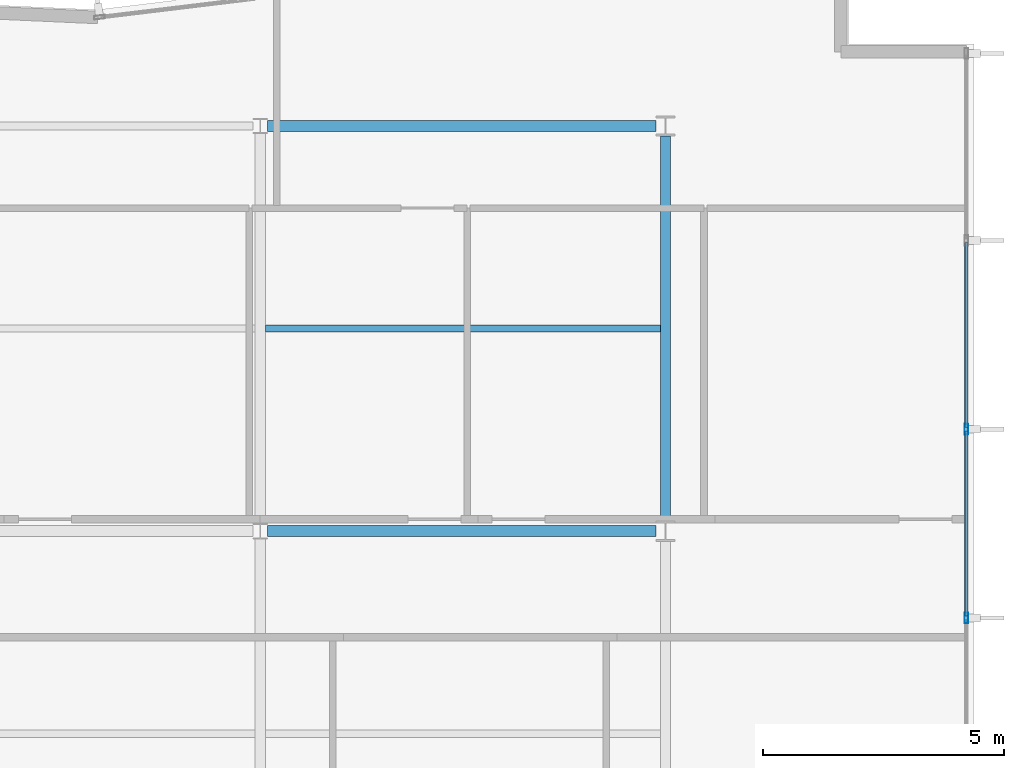
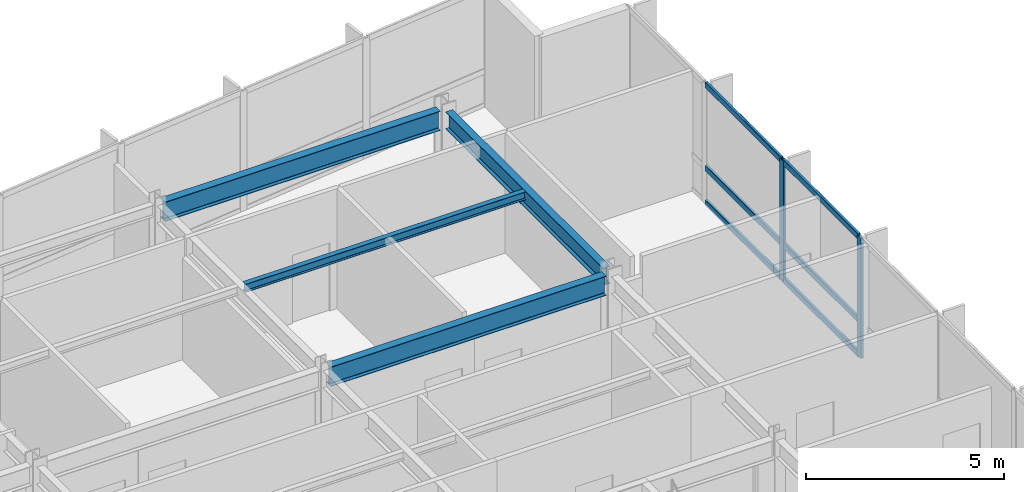
# One storey, part 7 of 18: 8 members, 4 beams, 1 element without a shape of its own.
"""IFC4 building model written with IfcOpenShell, lengths in metres."""

from ifc_helpers import new_model, si_unit, direction, frame, origin, origin_2d, place, context, subcontext, project, spatial, hollow_rectangle, i_section, extrude, material, layer, layer_set, material_profile, profile_set, type_object, element, aggregate, save


model = new_model("IFC4")

# Units and contexts
model_context = context("Model", 3, precision=1e-05, world=origin(), true_north=direction((0.0, 1.0)))
body_context = subcontext(model_context, "Body", "Model", "MODEL_VIEW")
ifc_project = project(units=[si_unit("LENGTHUNIT", "METRE"), si_unit("AREAUNIT", "SQUARE_METRE"), si_unit("VOLUMEUNIT", "CUBIC_METRE"), si_unit("PLANEANGLEUNIT", "RADIAN"), si_unit("MASSUNIT", "GRAM", prefix="KILO")], contexts=[model_context])

# Site, building, storey
site_placement = place(None, origin())
site = spatial("IfcSite", under=ifc_project, at=site_placement, CompositionType="ELEMENT")
building_placement = place(site_placement, origin())
building = spatial("IfcBuilding", under=site, at=building_placement, Name="Varnakote Quay Hospital", CompositionType="ELEMENT")
storey_placement = place(building_placement, frame((0.0, 0.0, 158.64990234375)))
storey = spatial("IfcBuildingStorey", under=building, at=storey_placement, Name="L39", CompositionType="ELEMENT", Elevation=158.64990234375)

# Beams
ifc_material_1 = material(Name="Structural steel AS/NZS 3679.1 Grade 350 L0 (fy 340 MPa)", Category="steel")
ifc_material_profile_1 = material_profile(ifc_material_1, i_section(OverallWidth=0.208984375, OverallDepth=0.532958984375, WebThickness=0.01025390625, FlangeThickness=0.015625, FilletRadius=0.013916015625, at=origin_2d()), Name="530UB92.4")
ifc_profile_set_1 = profile_set([ifc_material_profile_1], Name="Structural steel AS/NZS 3679.1 Grade 350 L0 (fy 340 MPa)")
beam_type_1 = type_object("IfcBeamType", Name="BM-STL-530UB92-4", PredefinedType="BEAM", material=ifc_profile_set_1)
beam_1_placement = place(storey_placement, frame((50.39990234375, 20.610107421875, 3.443603515625), z_axis=(0.0, 1.0, 0.0), x_axis=(-1.0, 0.0, 0.0)))
element("IfcBeam", 1, at=beam_1_placement, inside=storey, type_object=beam_type_1, Name="L39 Primary Tie Beam", PredefinedType="BEAM", context=body_context, shape_type="SweptSolid", body=[
    extrude(i_section(OverallWidth=0.208984375, OverallDepth=0.532958984375, WebThickness=0.01025390625, FlangeThickness=0.015625, FilletRadius=0.013916015625, at=origin_2d()), origin(), (0.0, 0.0, 1.0), 7.97998046875),
])
ifc_material_2 = material(Name="Structural steel AS/NZS 3679.1 Grade 350 L0 (fy 340 MPa)", Category="steel")
ifc_material_profile_2 = material_profile(ifc_material_2, i_section(OverallWidth=0.22802734375, OverallDepth=0.60205078125, WebThickness=0.010498046875, FlangeThickness=0.014892578125, FilletRadius=0.013916015625, at=origin_2d()), Name="610UB101")
ifc_profile_set_2 = profile_set([ifc_material_profile_2], Name="Structural steel AS/NZS 3679.1 Grade 350 L0 (fy 340 MPa)")
beam_type_2 = type_object("IfcBeamType", Name="BM-STL-610UB101", PredefinedType="BEAM", material=ifc_profile_set_2)
for number, where, z_axis, x_axis, name in (
    (2, (42.153564453125, 20.39990234375, 3.4091796875), (1.0, 0.0, 0.0), (0.0, 1.0, 0.0), "L39 Primary Floor Beam"),
    (3, (42.153564453125, 28.800048828125, 3.4091796875), (1.0, 0.0, 0.0), (0.0, 1.0, 0.0), "L39 Primary Floor Beam"),
):
    element("IfcBeam", number, at=place(storey_placement, frame(where, z_axis=z_axis, x_axis=x_axis)), inside=storey, type_object=beam_type_2, Name=name, PredefinedType="BEAM", context=body_context, shape_type="SweptSolid", body=[
        extrude(i_section(OverallWidth=0.22802734375, OverallDepth=0.60205078125, WebThickness=0.010498046875, FlangeThickness=0.014892578125, FilletRadius=0.013916015625, at=origin_2d()), origin(), (0.0, 0.0, 1.0), 8.04638671875),
    ])

# Curtain wall, members
ifc_material_3 = material(Name="Anodised aluminium 6063-T6 Bronze", Category="aluminium")
ifc_layer = layer(ifc_material_3, 0.205078125)
ifc_layer_set = layer_set([ifc_layer], Name="Anodised aluminium 6063-T6 Bronze")
curtain_wall_type = type_object("IfcCurtainWallType", Name="CW-SYS-3", PredefinedType="NOTDEFINED", material=ifc_layer_set)
curtain_wall_placement = place(storey_placement, origin())
curtain_wall = element("IfcCurtainWall", 4, at=curtain_wall_placement, inside=storey, type_object=curtain_wall_type, Name="L39 Unitised Bronze Curtain Wall 1", PredefinedType="NOTDEFINED")
ifc_material_4 = material(Name="Anodised aluminium 6063-T6 Bronze", Category="aluminium")
ifc_material_profile_3 = material_profile(ifc_material_4, hollow_rectangle(XDim=0.074951171875, YDim=0.219970703125, WallThickness=0.00439453125, InnerFilletRadius=0.00439453125, OuterFilletRadius=0.009033203125, at=origin_2d()), Name="CW-MULL-220x75")
ifc_profile_set_3 = profile_set([ifc_material_profile_3], Name="Anodised aluminium 6063-T6 Bronze")
member_type_1 = type_object("IfcMemberType", Name="CW-MULL-220x75", PredefinedType="MULLION", material=ifc_profile_set_3)
member_1_placement = place(storey_placement, frame((56.639892578125, 18.60009765625, 0.0), z_axis=(0.0, 0.0, 1.0), x_axis=(-1.0, 0.0, 0.0)))
member_1 = element("IfcMember", 5, at=member_1_placement, type_object=member_type_1, Name="-3-L39-1 mullion 4", PredefinedType="MULLION", context=body_context, shape_type="SweptSolid", body=[
    extrude(hollow_rectangle(XDim=0.074951171875, YDim=0.219970703125, WallThickness=0.00439453125, InnerFilletRadius=0.00439453125, OuterFilletRadius=0.009033203125, at=origin_2d()), origin(), (0.0, 0.0, 1.0), 3.710205078125),
])
member_2_placement = place(storey_placement, frame((56.639892578125, 22.513427734375, 0.0), z_axis=(0.0, 0.0, 1.0), x_axis=(-1.0, 0.0, 0.0)))
member_2 = element("IfcMember", 6, at=member_2_placement, type_object=member_type_1, Name="-3-L39-1 mullion 5", PredefinedType="MULLION", context=body_context, shape_type="SweptSolid", body=[
    extrude(hollow_rectangle(XDim=0.074951171875, YDim=0.219970703125, WallThickness=0.00439453125, InnerFilletRadius=0.00439453125, OuterFilletRadius=0.009033203125, at=origin_2d()), origin(), (0.0, 0.0, 1.0), 3.710205078125),
])
ifc_material_5 = material(Name="Anodised aluminium 6063-T6 Bronze", Category="aluminium")
ifc_material_profile_4 = material_profile(ifc_material_5, hollow_rectangle(XDim=0.074951171875, YDim=0.179931640625, WallThickness=0.004150390625, InnerFilletRadius=0.004150390625, OuterFilletRadius=0.00830078125, at=origin_2d()), Name="CW-TRAN-180x75")
ifc_profile_set_4 = profile_set([ifc_material_profile_4], Name="Anodised aluminium 6063-T6 Bronze")
member_type_2 = type_object("IfcMemberType", Name="CW-TRAN-180x75", PredefinedType="USERDEFINED", material=ifc_profile_set_4)
member_3_placement = place(storey_placement, frame((56.639892578125, 18.637451171875, 0.03759765625), z_axis=(0.0, 1.0, 0.0), x_axis=(-1.0, 0.0, 0.0)))
member_3 = element("IfcMember", 7, at=member_3_placement, type_object=member_type_2, Name="-3-L39-1 transom 4.1", ObjectType="TRANSOM", PredefinedType="USERDEFINED", context=body_context, shape_type="SweptSolid", body=[
    extrude(hollow_rectangle(XDim=0.074951171875, YDim=0.179931640625, WallThickness=0.004150390625, InnerFilletRadius=0.004150390625, OuterFilletRadius=0.00830078125, at=origin_2d()), origin(), (0.0, 0.0, 1.0), 3.83837890625),
])
member_4_placement = place(storey_placement, frame((56.639892578125, 18.637451171875, 1.10009765625), z_axis=(0.0, 1.0, 0.0), x_axis=(-1.0, 0.0, 0.0)))
member_4 = element("IfcMember", 8, at=member_4_placement, type_object=member_type_2, Name="-3-L39-1 transom 4.2", ObjectType="TRANSOM", PredefinedType="USERDEFINED", context=body_context, shape_type="SweptSolid", body=[
    extrude(hollow_rectangle(XDim=0.074951171875, YDim=0.179931640625, WallThickness=0.004150390625, InnerFilletRadius=0.004150390625, OuterFilletRadius=0.00830078125, at=origin_2d()), origin(), (0.0, 0.0, 1.0), 3.83837890625),
])
member_5_placement = place(storey_placement, frame((56.639892578125, 18.637451171875, 3.672607421875), z_axis=(0.0, 1.0, 0.0), x_axis=(-1.0, 0.0, 0.0)))
member_5 = element("IfcMember", 9, at=member_5_placement, type_object=member_type_2, Name="-3-L39-1 transom 4.3", ObjectType="TRANSOM", PredefinedType="USERDEFINED", context=body_context, shape_type="SweptSolid", body=[
    extrude(hollow_rectangle(XDim=0.074951171875, YDim=0.179931640625, WallThickness=0.004150390625, InnerFilletRadius=0.004150390625, OuterFilletRadius=0.00830078125, at=origin_2d()), origin(), (0.0, 0.0, 1.0), 3.83837890625),
])
member_6_placement = place(storey_placement, frame((56.639892578125, 22.55078125, 0.03759765625), z_axis=(0.0, 1.0, 0.0), x_axis=(-1.0, 0.0, 0.0)))
member_6 = element("IfcMember", 10, at=member_6_placement, type_object=member_type_2, Name="-3-L39-1 transom 5.1", ObjectType="TRANSOM", PredefinedType="USERDEFINED", context=body_context, shape_type="SweptSolid", body=[
    extrude(hollow_rectangle(XDim=0.074951171875, YDim=0.179931640625, WallThickness=0.004150390625, InnerFilletRadius=0.004150390625, OuterFilletRadius=0.00830078125, at=origin_2d()), origin(), (0.0, 0.0, 1.0), 3.83837890625),
])
member_7_placement = place(storey_placement, frame((56.639892578125, 22.55078125, 1.10009765625), z_axis=(0.0, 1.0, 0.0), x_axis=(-1.0, 0.0, 0.0)))
member_7 = element("IfcMember", 11, at=member_7_placement, type_object=member_type_2, Name="-3-L39-1 transom 5.2", ObjectType="TRANSOM", PredefinedType="USERDEFINED", context=body_context, shape_type="SweptSolid", body=[
    extrude(hollow_rectangle(XDim=0.074951171875, YDim=0.179931640625, WallThickness=0.004150390625, InnerFilletRadius=0.004150390625, OuterFilletRadius=0.00830078125, at=origin_2d()), origin(), (0.0, 0.0, 1.0), 3.83837890625),
])
member_8_placement = place(storey_placement, frame((56.639892578125, 22.55078125, 3.672607421875), z_axis=(0.0, 1.0, 0.0), x_axis=(-1.0, 0.0, 0.0)))
member_8 = element("IfcMember", 12, at=member_8_placement, type_object=member_type_2, Name="-3-L39-1 transom 5.3", ObjectType="TRANSOM", PredefinedType="USERDEFINED", context=body_context, shape_type="SweptSolid", body=[
    extrude(hollow_rectangle(XDim=0.074951171875, YDim=0.179931640625, WallThickness=0.004150390625, InnerFilletRadius=0.004150390625, OuterFilletRadius=0.00830078125, at=origin_2d()), origin(), (0.0, 0.0, 1.0), 3.83837890625),
])
aggregate(curtain_wall, [member_1, member_2, member_3, member_4, member_5, member_6, member_7, member_8])

# Beam
ifc_material_6 = material(Name="Structural steel AS/NZS 3679.1 Grade 350 L0 (fy 340 MPa)", Category="steel")
ifc_material_profile_5 = material_profile(ifc_material_6, i_section(OverallWidth=0.14599609375, OverallDepth=0.256103515625, WebThickness=0.00634765625, FlangeThickness=0.010986328125, FilletRadius=0.0087890625, at=origin_2d()), Name="250UB37.3")
ifc_profile_set_5 = profile_set([ifc_material_profile_5], Name="Structural steel AS/NZS 3679.1 Grade 350 L0 (fy 340 MPa)")
beam_type_3 = type_object("IfcBeamType", Name="JST-STL-250UB37-3", PredefinedType="JOIST", material=ifc_profile_set_5)
beam_2_placement = place(storey_placement, frame((42.1044921875, 24.60009765625, 3.58203125), z_axis=(1.0, 0.0, 0.0), x_axis=(0.0, 1.0, 0.0)))
element("IfcBeam", 13, at=beam_2_placement, inside=storey, type_object=beam_type_3, Name="L39 Composite Floor Joist", PredefinedType="JOIST", context=body_context, shape_type="SweptSolid", body=[
    extrude(i_section(OverallWidth=0.14599609375, OverallDepth=0.256103515625, WebThickness=0.00634765625, FlangeThickness=0.010986328125, FilletRadius=0.0087890625, at=origin_2d()), origin(), (0.0, 0.0, 1.0), 8.19091796875),
])

save(model, "model.ifc")
